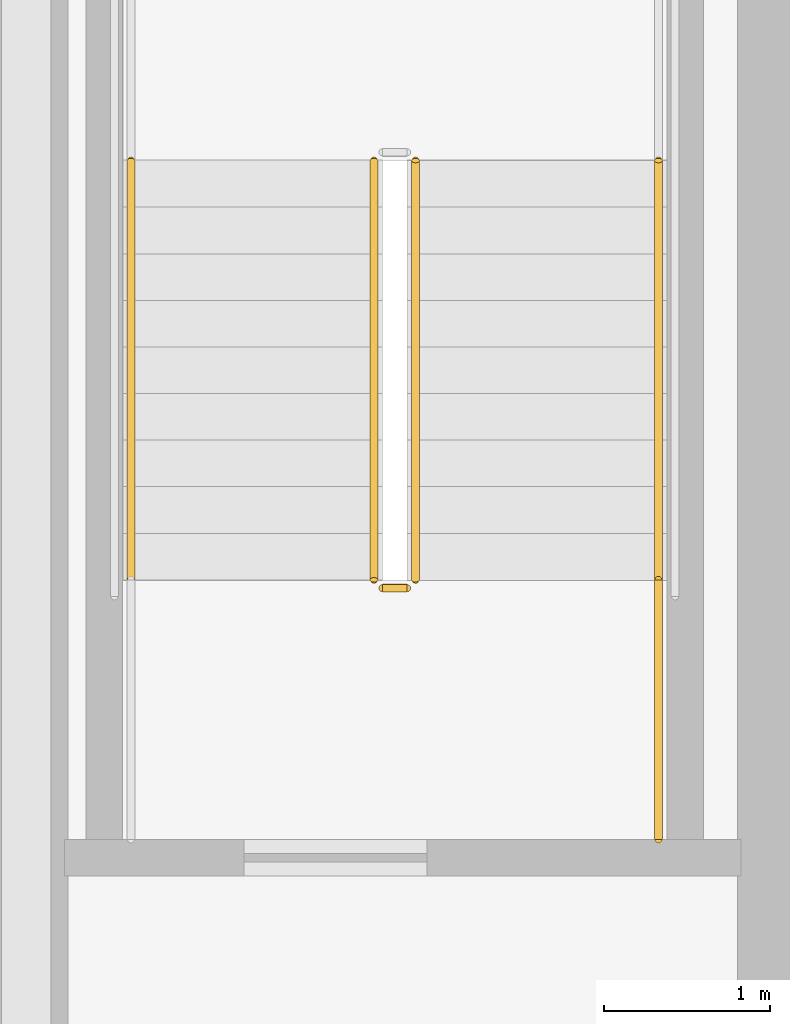
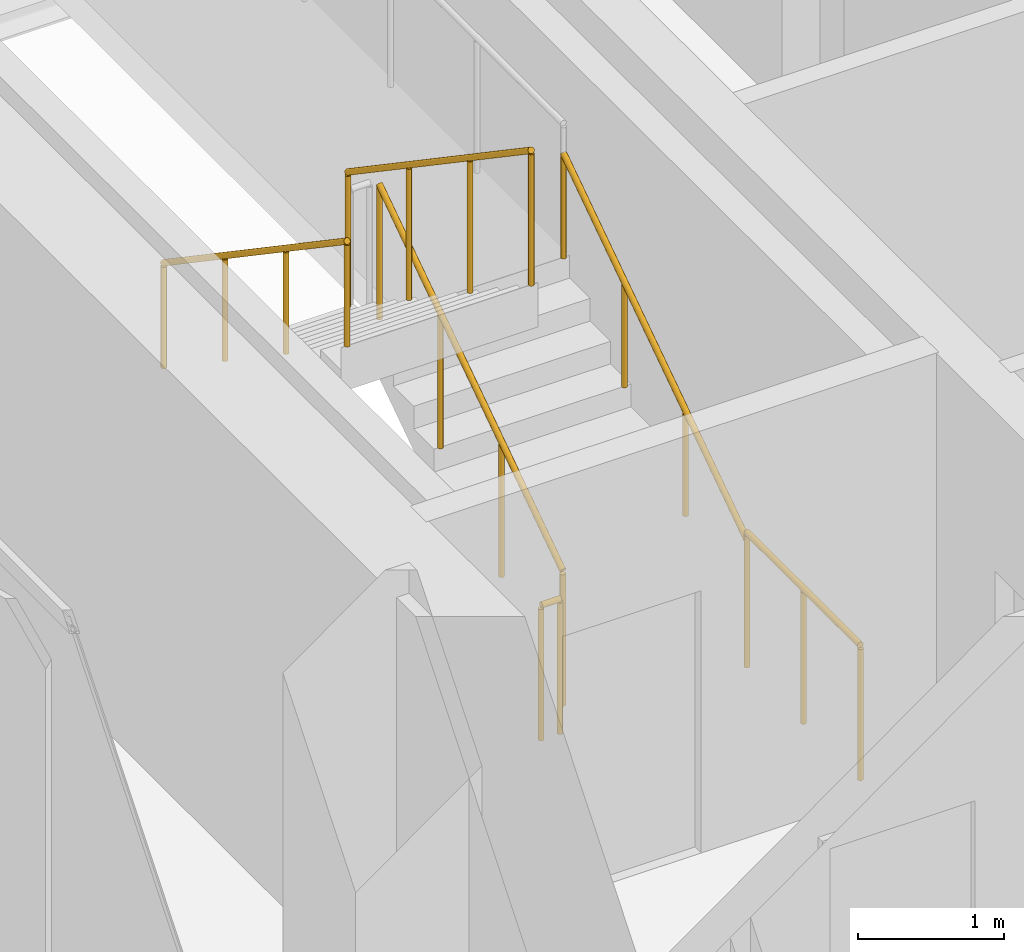
# One storey, part 14 of 17: 6 railings.
"""IFC4 building model written with IfcOpenShell, lengths in metres."""

from ifc_helpers import new_model, si_unit, direction, frame, origin, origin_2d, place, context, subcontext, project, spatial, circle, extrude, material, type_object, element, save


model = new_model("IFC4")

# Units and contexts
model_context = context("Model", 3, precision=1e-05, world=origin(), true_north=direction((0.0, 1.0)))
body_context = subcontext(model_context, "Body", "Model", "MODEL_VIEW")
ifc_project = project(units=[si_unit("LENGTHUNIT", "METRE"), si_unit("AREAUNIT", "SQUARE_METRE"), si_unit("VOLUMEUNIT", "CUBIC_METRE"), si_unit("PLANEANGLEUNIT", "RADIAN"), si_unit("MASSUNIT", "GRAM", prefix="KILO")], contexts=[model_context])

# Site, building, storey
site_placement = place(None, origin())
site = spatial("IfcSite", under=ifc_project, at=site_placement, CompositionType="ELEMENT")
building_placement = place(site_placement, origin())
building = spatial("IfcBuilding", under=site, at=building_placement, Name="Khairoan Windgate Tower", CompositionType="ELEMENT")
storey_placement = place(building_placement, frame((0.0, 0.0, 199.199951171875)))
storey = spatial("IfcBuildingStorey", under=building, at=storey_placement, Name="L46", CompositionType="ELEMENT", Elevation=199.199951171875)

# Railings
ifc_material_1 = material(Name="Anodised Bronze Aluminium 6063-T6", Category="aluminium")
railing_type_1 = type_object("IfcRailingType", Name="Stair Wall Handrail SHR-900", PredefinedType="HANDRAIL", material=ifc_material_1)
railing_1_placement = place(storey_placement, frame((-16.199951171875, 2.9599609375, 0.18994140625)))
element("IfcRailing", 1, at=railing_1_placement, inside=storey, type_object=railing_type_1, Name="L46 ST2 stair handrail 1", PredefinedType="HANDRAIL", context=body_context, shape_type="SweptSolid", body=[
    extrude(circle(Radius=0.02392578125, at=origin_2d()), frame((0.0, 0.0, 0.8759765625), z_axis=(0.0, 0.82744650838, 0.561544544778), x_axis=(-1.0, 0.0, 0.0)), (0.0, 0.0, 1.0), 3.045654296875),
    extrude(circle(Radius=0.02099609375, at=origin_2d()), origin(), (0.0, 0.0, 1.0), 0.851806640625),
    extrude(circle(Radius=0.02099609375, at=origin_2d()), frame((0.0, 0.840087890625, 0.570068359375)), (0.0, 0.0, 1.0), 0.851806640625),
    extrude(circle(Radius=0.02099609375, at=origin_2d()), frame((0.0, 1.679931640625, 1.14013671875)), (0.0, 0.0, 1.0), 0.851806640625),
    extrude(circle(Radius=0.02099609375, at=origin_2d()), frame((0.0, 2.52001953125, 1.710205078125)), (0.0, 0.0, 1.0), 0.851806640625),
])
railing_2_placement = place(storey_placement, frame((-19.3701171875, 5.47998046875, 2.090087890625)))
element("IfcRailing", 2, at=railing_2_placement, inside=storey, type_object=railing_type_1, Name="L46 ST2 stair handrail 2", PredefinedType="HANDRAIL", context=body_context, shape_type="SweptSolid", body=[
    extrude(circle(Radius=0.02392578125, at=origin_2d()), frame((0.0, 0.0, 0.8759765625), z_axis=(0.0, -0.827483756001, 0.561489655786), x_axis=(1.0, 0.0, 0.0)), (0.0, 0.0, 1.0), 3.04541015625),
    extrude(circle(Radius=0.02099609375, at=origin_2d()), origin(), (0.0, 0.0, 1.0), 0.851806640625),
    extrude(circle(Radius=0.02099609375, at=origin_2d()), frame((0.0, -0.840087890625, 0.570068359375)), (0.0, 0.0, 1.0), 0.851806640625),
    extrude(circle(Radius=0.02099609375, at=origin_2d()), frame((0.0, -1.679931640625, 1.139892578125)), (0.0, 0.0, 1.0), 0.851806640625),
    extrude(circle(Radius=0.02099609375, at=origin_2d()), frame((0.0, -2.52001953125, 1.7099609375)), (0.0, 0.0, 1.0), 0.851806640625),
])
ifc_material_2 = material(Name="Steel S355", Category="steel")
railing_type_2 = type_object("IfcRailingType", Name="Stairwell Safety Guardrail SGR-1150", PredefinedType="GUARDRAIL", material=ifc_material_2)
railing_3_placement = place(storey_placement, frame((-17.659912109375, 2.9599609375, 0.18994140625)))
element("IfcRailing", 3, at=railing_3_placement, inside=storey, type_object=railing_type_2, Name="L46 ST2 stair guard 1", PredefinedType="GUARDRAIL", context=body_context, shape_type="SweptSolid", body=[
    extrude(circle(Radius=0.02392578125, at=origin_2d()), frame((0.0, 0.0, 1.1259765625), z_axis=(0.0, 0.82744650838, 0.561544544778), x_axis=(-1.0, 0.0, 0.0)), (0.0, 0.0, 1.0), 3.045654296875),
    extrude(circle(Radius=0.02099609375, at=origin_2d()), origin(), (0.0, 0.0, 1.0), 1.101806640625),
    extrude(circle(Radius=0.02099609375, at=origin_2d()), frame((0.0, 0.840087890625, 0.570068359375)), (0.0, 0.0, 1.0), 1.101806640625),
    extrude(circle(Radius=0.02099609375, at=origin_2d()), frame((0.0, 1.679931640625, 1.14013671875)), (0.0, 0.0, 1.0), 1.101806640625),
    extrude(circle(Radius=0.02099609375, at=origin_2d()), frame((0.0, 2.52001953125, 1.710205078125)), (0.0, 0.0, 1.0), 1.101806640625),
])
railing_4_placement = place(storey_placement, frame((-17.909912109375, 5.47998046875, 2.090087890625)))
element("IfcRailing", 4, at=railing_4_placement, inside=storey, type_object=railing_type_2, Name="L46 ST2 stair guard 6", PredefinedType="GUARDRAIL", context=body_context, shape_type="SweptSolid", body=[
    extrude(circle(Radius=0.02392578125, at=origin_2d()), frame((0.0, 0.0, 1.1259765625), z_axis=(0.0, -0.827483756001, 0.561489655786), x_axis=(1.0, 0.0, 0.0)), (0.0, 0.0, 1.0), 3.04541015625),
    extrude(circle(Radius=0.02099609375, at=origin_2d()), origin(), (0.0, 0.0, 1.0), 1.101806640625),
    extrude(circle(Radius=0.02099609375, at=origin_2d()), frame((0.0, -0.840087890625, 0.570068359375)), (0.0, 0.0, 1.0), 1.101806640625),
    extrude(circle(Radius=0.02099609375, at=origin_2d()), frame((0.0, -1.679931640625, 1.139892578125)), (0.0, 0.0, 1.0), 1.101806640625),
    extrude(circle(Radius=0.02099609375, at=origin_2d()), frame((0.0, -2.52001953125, 1.7099609375)), (0.0, 0.0, 1.0), 1.101806640625),
])
railing_5_placement = place(storey_placement, frame((-17.7099609375, 2.909912109375, 0.0)))
element("IfcRailing", 5, at=railing_5_placement, inside=storey, type_object=railing_type_2, Name="L46 ST2 stair guard 7", PredefinedType="GUARDRAIL", context=body_context, shape_type="SweptSolid", body=[
    extrude(circle(Radius=0.02392578125, at=origin_2d()), frame((0.0, 0.0, 1.1259765625), z_axis=(-1.0, 0.0, 0.0), x_axis=(0.0, -1.0, 0.0)), (0.0, 0.0, 1.0), 0.150146484375),
    extrude(circle(Radius=0.02099609375, at=origin_2d()), origin(), (0.0, 0.0, 1.0), 1.101806640625),
    extrude(circle(Radius=0.02099609375, at=origin_2d()), frame((-0.150146484375, 0.0, 0.0)), (0.0, 0.0, 1.0), 1.101806640625),
])
railing_6_placement = place(storey_placement, frame((-16.199951171875, 1.39990234375, 0.0)))
element("IfcRailing", 6, at=railing_6_placement, inside=storey, type_object=railing_type_2, Name="L46 ST2 stair guard 8", PredefinedType="GUARDRAIL", context=body_context, shape_type="SweptSolid", body=[
    extrude(circle(Radius=0.02392578125, at=origin_2d()), frame((0.0, 0.0, 1.1259765625), z_axis=(0.0, 1.0, 0.0), x_axis=(-1.0, 0.0, 0.0)), (0.0, 0.0, 1.0), 1.56005859375),
    extrude(circle(Radius=0.02099609375, at=origin_2d()), origin(), (0.0, 0.0, 1.0), 1.101806640625),
    extrude(circle(Radius=0.02099609375, at=origin_2d()), frame((0.0, 0.780029296875, 0.0)), (0.0, 0.0, 1.0), 1.101806640625),
    extrude(circle(Radius=0.02099609375, at=origin_2d()), frame((0.0, 1.56005859375, 0.0)), (0.0, 0.0, 1.0), 1.101806640625),
])

save(model, "model.ifc")
